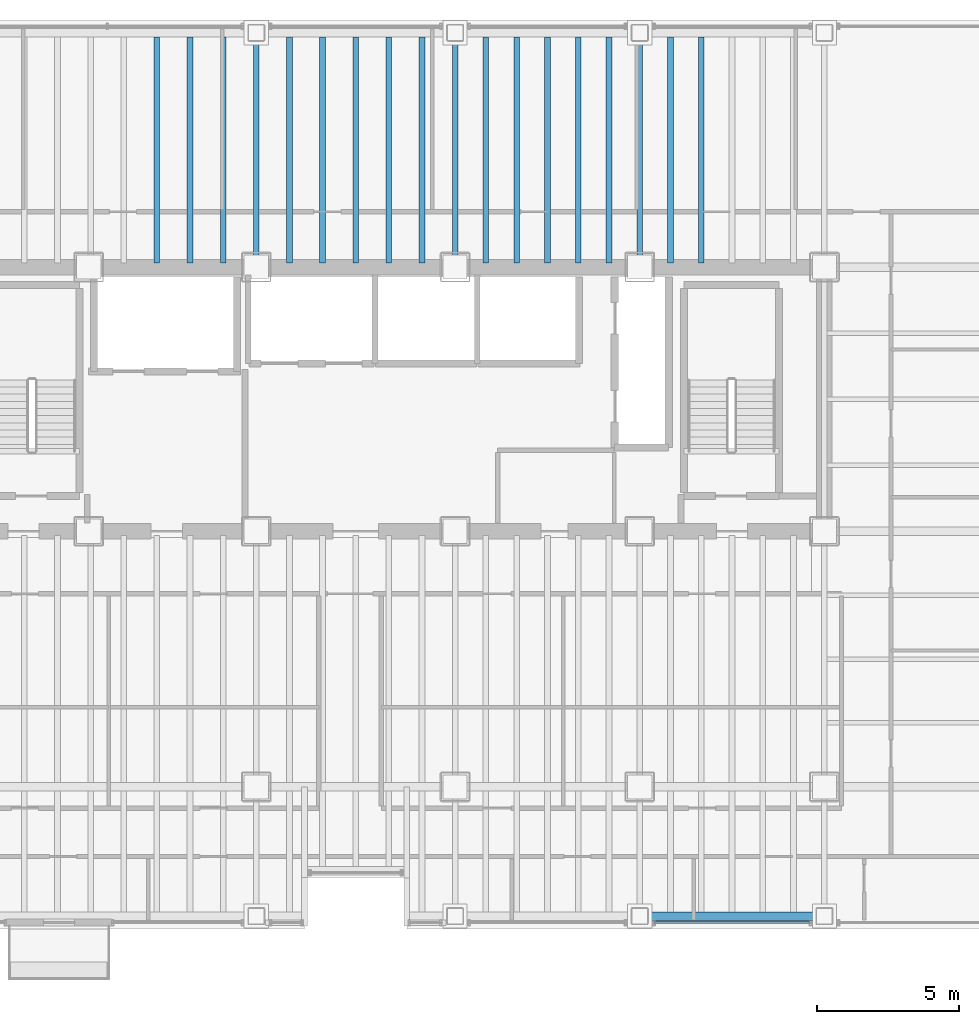
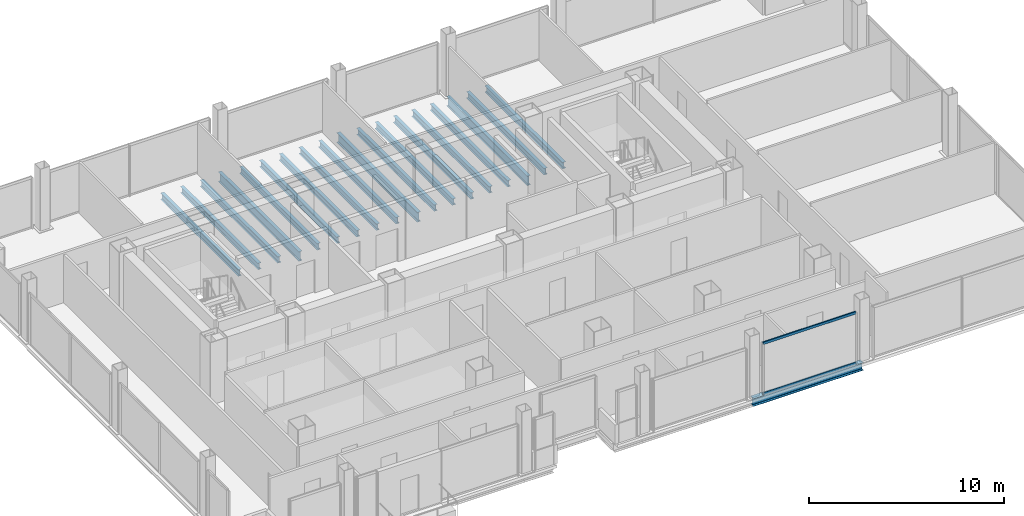
# One storey, part 7 of 20: 19 beams, 2 members, 1 element without a shape of its own.
"""IFC4 building model written with IfcOpenShell, lengths in metres."""

import ifcopenshell
import ifcopenshell.guid

model = None  # the IFC model being written
_history = None  # IfcOwnerHistory: only IFC2X3 demands one
_inside = {}  # id of a spatial element -> (the spatial element, [elements in it])
_under = {}  # id of a project, library or spatial element -> (it, [spatial elements below it])
_declared = {}  # id of a project -> (the project, [libraries it declares])
_typed = {}  # id of a type object -> (the type object, [elements of that type])
_made_of = {}  # id of a material, layer set ... -> (it, [elements and type objects made of it])


def new_model(schema):
    """Start an empty IFC model of exactly this schema.

    Asked for "IFC4X3", IfcOpenShell would pick the latest addendum, in which some entities
    have other attributes; the version numbers below select the first issue.
    IFC2X3 requires an IfcOwnerHistory on every rooted entity: one is made here for all.
    """
    global model, _history
    if schema == "IFC4X3":
        model = ifcopenshell.file(schema_version=(4, 3, 0, 0))
    else:
        model = ifcopenshell.file(schema=schema)
    _inside.clear()
    _under.clear()
    _declared.clear()
    _typed.clear()
    _made_of.clear()
    _history = None
    if model.schema == "IFC2X3":
        org = make("IfcOrganization", Name="unknown")
        user = make(
            "IfcPersonAndOrganization",
            ThePerson=make("IfcPerson", FamilyName="unknown"),
            TheOrganization=org,
        )
        app = make(
            "IfcApplication",
            ApplicationDeveloper=org,
            Version="unknown",
            ApplicationFullName="unknown",
            ApplicationIdentifier="unknown",
        )
        _history = make(
            "IfcOwnerHistory",
            OwningUser=user,
            OwningApplication=app,
            ChangeAction="ADDED",
            CreationDate=0,
        )
    return model


def make(cls, **values):
    """One entity of the class cls with the attributes given. An attribute that is None is left unset."""
    return model.create_entity(
        cls, **{name: value for name, value in values.items() if value is not None}
    )


def rooted(cls, **values):
    """An entity with a GlobalId (a new one), such as an element, a storey or a relation."""
    return make(cls, GlobalId=ifcopenshell.guid.new(), OwnerHistory=_history, **values)


def si_unit(unit_type, name, prefix=None):
    """IfcSIUnit, for example si_unit("LENGTHUNIT", "METRE", prefix="MILLI")."""
    return make("IfcSIUnit", UnitType=unit_type, Prefix=prefix, Name=name)


def assignment(units):
    """IfcUnitAssignment: the units of a project."""
    return None if units is None else make("IfcUnitAssignment", Units=units)


def point(xyz):
    """IfcCartesianPoint."""
    return None if xyz is None else make("IfcCartesianPoint", Coordinates=xyz)


def direction(xyz):
    """IfcDirection."""
    return None if xyz is None else make("IfcDirection", DirectionRatios=xyz)


def frame(location, z_axis=None, x_axis=None):
    """IfcAxis2Placement3D, a coordinate frame: its origin and axes. An axis left out is left unset."""
    return make(
        "IfcAxis2Placement3D",
        Location=point(location),
        Axis=direction(z_axis),
        RefDirection=direction(x_axis),
    )


def frame_2d(location, x_axis=None):
    """IfcAxis2Placement2D, a coordinate frame in the plane: its origin and x axis."""
    return make(
        "IfcAxis2Placement2D", Location=point(location), RefDirection=direction(x_axis)
    )


def origin():
    """The frame at (0, 0, 0) with its axes left unset."""
    return frame((0.0, 0.0, 0.0))


def origin_2d():
    """The frame at (0, 0) in the plane with its x axis left unset."""
    return frame_2d((0.0, 0.0))


def place(relative_to, where):
    """IfcLocalPlacement: puts the frame where relative to a parent placement (None: the world)."""
    return make(
        "IfcLocalPlacement", PlacementRelTo=relative_to, RelativePlacement=where
    )


def context(
    kind, dimensions, precision=None, world=None, true_north=None, identifier=None
):
    """IfcGeometricRepresentationContext, for example the 3D "Model" context."""
    return make(
        "IfcGeometricRepresentationContext",
        ContextIdentifier=identifier,
        ContextType=kind,
        CoordinateSpaceDimension=dimensions,
        Precision=precision,
        WorldCoordinateSystem=world,
        TrueNorth=true_north,
    )


def subcontext(parent, identifier, kind, view, scale=None):
    """IfcGeometricRepresentationSubContext, for example "Body" below "Model"."""
    return make(
        "IfcGeometricRepresentationSubContext",
        ContextIdentifier=identifier,
        ContextType=kind,
        ParentContext=parent,
        TargetScale=scale,
        TargetView=view,
    )


def project(units=None, contexts=None):
    """IfcProject with its units and contexts."""
    return rooted(
        "IfcProject",
        Name="project",
        RepresentationContexts=contexts,
        UnitsInContext=assignment(units),
    )


def spatial(cls, under=None, at=None, **own):
    """A site, building, storey or space (cls), placed at a placement, below another one or the project."""
    s = rooted(cls, ObjectPlacement=at, **own)
    if under is not None:
        _under.setdefault(under.id(), (under, []))[1].append(s)
    return s


def profile(cls, at=None, kind="AREA", **sizes):
    """A parametric profile (cls). Its sizes go by their IFC names, for example OverallWidth=200.0."""
    return make(cls, ProfileType=kind, Position=at, **sizes)


def hollow_rectangle(**sizes):
    """IfcRectangleHollowProfileDef."""
    return profile("IfcRectangleHollowProfileDef", **sizes)


def i_section(**sizes):
    """IfcIShapeProfileDef."""
    return profile("IfcIShapeProfileDef", **sizes)


def extrude(swept, where, along, depth):
    """IfcExtrudedAreaSolid: the profile swept, set in the frame where, extruded along a direction by depth."""
    return make(
        "IfcExtrudedAreaSolid",
        SweptArea=swept,
        Position=where,
        ExtrudedDirection=direction(along),
        Depth=depth,
    )


def shape(context_of_items, identifier, shape_type, items):
    """IfcShapeRepresentation: the items that make up one representation, for example the "Body"."""
    return make(
        "IfcShapeRepresentation",
        ContextOfItems=context_of_items,
        RepresentationIdentifier=identifier,
        RepresentationType=shape_type,
        Items=items,
    )


def material(Name=None, Category=None):
    """IfcMaterial."""
    return make("IfcMaterial", Name=Name, Category=Category)


def material_profile(
    of_material, cross_section, Name=None, Category=None, Priority=None
):
    """IfcMaterialProfile: a cross section and its material."""
    return make(
        "IfcMaterialProfile",
        Name=Name,
        Material=of_material,
        Profile=cross_section,
        Priority=Priority,
        Category=Category,
    )


def profile_set(profiles, Name=None, composite=None):
    """IfcMaterialProfileSet."""
    return make(
        "IfcMaterialProfileSet",
        Name=Name,
        MaterialProfiles=profiles,
        CompositeProfile=composite,
    )


def made_of(thing, what):
    """Note that an element or type object is made of a material, layer set ...; save() writes the relation."""
    if what is not None:
        _made_of.setdefault(what.id(), (what, []))[1].append(thing)
    return thing


def type_object(cls, material=None, **own):
    """A type object (cls), such as IfcWallType, which elements share."""
    return made_of(rooted(cls, **own), material)


def element(
    cls,
    number,
    at=None,
    inside=None,
    cuts=None,
    type_object=None,
    material=None,
    context=None,
    identifier="Body",
    shape_type=None,
    held_by="IfcProductDefinitionShape",
    body=None,
    shapes=None,
    **own,
):
    """One element of the class cls, such as IfcWall. Its Tag is "e" and its number.

    at: its placement. inside: the storey or other place that contains it. cuts: it is an
    opening in that element (IfcRelVoidsElement). A single representation is given by context,
    identifier, shape_type and body (its items); several are given by shapes. held_by: the class
    of the entity that holds the representations. save() writes the other relations.
    """
    e = rooted(cls, Tag="e%d" % number, ObjectPlacement=at, **own)
    if body is not None:
        shapes = [shape(context, identifier, shape_type, body)]
    if shapes is not None:
        e.Representation = make(held_by, Representations=shapes)
    if inside is not None:
        _inside.setdefault(inside.id(), (inside, []))[1].append(e)
    if cuts is not None:
        rooted(
            "IfcRelVoidsElement", RelatingBuildingElement=cuts, RelatedOpeningElement=e
        )
    if type_object is not None:
        _typed.setdefault(type_object.id(), (type_object, []))[1].append(e)
    return made_of(e, material)


def aggregate(whole, parts):
    """IfcRelAggregates: a whole, such as a stair, and the parts it consists of."""
    return rooted("IfcRelAggregates", RelatingObject=whole, RelatedObjects=parts)


def save(model, path):
    """Write the relations noted so far, then the file.

    IfcRelAggregates (storeys below a building ...), IfcRelContainedInSpatialStructure (elements
    in a storey), IfcRelDefinesByType, IfcRelAssociatesMaterial and IfcRelDeclares: one each for
    every whole, place, type object, material and project.
    """
    for whole, parts in _under.values():
        aggregate(whole, parts)
    for where, things in _inside.values():
        rooted(
            "IfcRelContainedInSpatialStructure",
            RelatedElements=things,
            RelatingStructure=where,
        )
    for kind, things in _typed.values():
        rooted("IfcRelDefinesByType", RelatedObjects=things, RelatingType=kind)
    for what, things in _made_of.values():
        rooted("IfcRelAssociatesMaterial", RelatedObjects=things, RelatingMaterial=what)
    for by, libraries in _declared.values():
        rooted("IfcRelDeclares", RelatingContext=by, RelatedDefinitions=libraries)
    model.write(path)


model = new_model("IFC4")

# Units and contexts
model_context = context("Model", 3, precision=1e-05, world=origin(), true_north=direction((0.0, 1.0)))
body_context = subcontext(model_context, "Body", "Model", "MODEL_VIEW")
ifc_project = project(units=[si_unit("LENGTHUNIT", "METRE"), si_unit("AREAUNIT", "SQUARE_METRE"), si_unit("VOLUMEUNIT", "CUBIC_METRE"), si_unit("PLANEANGLEUNIT", "RADIAN"), si_unit("MASSUNIT", "GRAM", prefix="KILO")], contexts=[model_context])

# Site, building, storey
site_placement = place(None, origin())
site = spatial("IfcSite", under=ifc_project, at=site_placement, CompositionType="ELEMENT")
building_placement = place(site_placement, origin())
building = spatial("IfcBuilding", under=site, at=building_placement, Name="Noeulbin Bourse Tower", CompositionType="ELEMENT")
storey_placement = place(building_placement, frame((0.0, 0.0, 73.300048828125)))
storey = spatial("IfcBuildingStorey", under=building, at=storey_placement, Name="L18", CompositionType="ELEMENT", Elevation=73.300048828125)

# Beams
ifc_material_1 = material(Name="Steel S355", Category="steel")
ifc_material_profile_1 = material_profile(ifc_material_1, i_section(OverallWidth=0.199951171875, OverallDepth=0.60009765625, WebThickness=0.010986328125, FlangeThickness=0.01708984375, FilletRadius=0.02197265625, at=origin_2d()), Name="H-600x200x11x17", Category="LoadBearing")
ifc_profile_set_1 = profile_set([ifc_material_profile_1], Name="Steel S355")
beam_type_1 = type_object("IfcBeamType", Name="BM-GRD-600", PredefinedType="USERDEFINED", material=ifc_profile_set_1)
for number, where, z_axis, x_axis, name in (
    (1, (24.0, 38.300048828125, -0.47998046875), (0.0, 1.0, 0.0), (-1.0, 0.0, 0.0), "Tower Primary Girder NS L18-2.4"),
    (2, (31.0, 38.300048828125, -0.47998046875), (0.0, 1.0, 0.0), (-1.0, 0.0, 0.0), "Tower Primary Girder NS L18-3.4"),
    (3, (37.5, 38.300048828125, -0.47998046875), (0.0, 1.0, 0.0), (-1.0, 0.0, 0.0), "Tower Primary Girder NS L18-4.4"),
):
    element("IfcBeam", number, at=place(storey_placement, frame(where, z_axis=z_axis, x_axis=x_axis)), inside=storey, type_object=beam_type_1, Name=name, ObjectType="GIRDER", PredefinedType="USERDEFINED", context=body_context, shape_type="SweptSolid", body=[
        extrude(i_section(OverallWidth=0.199951171875, OverallDepth=0.60009765625, WebThickness=0.010986328125, FlangeThickness=0.01708984375, FilletRadius=0.02197265625, at=origin_2d()), origin(), (0.0, 0.0, 1.0), 8.25),
    ])
ifc_material_profile_2 = material_profile(ifc_material_1, i_section(OverallWidth=0.199951171875, OverallDepth=0.39990234375, WebThickness=0.008056640625, FlangeThickness=0.012939453125, FilletRadius=0.01611328125, at=origin_2d()), Name="H-400x200x8x13", Category="LoadBearing")
ifc_profile_set_2 = profile_set([ifc_material_profile_2], Name="Steel S355")
beam_type_2 = type_object("IfcBeamType", Name="BM-SEC-400", PredefinedType="BEAM", material=ifc_profile_set_2)
for number, where, z_axis, x_axis, name in (
    (4, (20.5, 38.449951171875, -0.380126953125), (0.0, 1.0, 0.0), (-1.0, 0.0, 0.0), "Tower Composite Joist L18-18"),
    (5, (21.666748046875, 38.449951171875, -0.380126953125), (0.0, 1.0, 0.0), (-1.0, 0.0, 0.0), "Tower Composite Joist L18-21"),
    (6, (22.833251953125, 38.449951171875, -0.380126953125), (0.0, 1.0, 0.0), (-1.0, 0.0, 0.0), "Tower Composite Joist L18-24"),
    (7, (25.166748046875, 38.449951171875, -0.380126953125), (0.0, 1.0, 0.0), (-1.0, 0.0, 0.0), "Tower Composite Joist L18-27"),
    (8, (26.333251953125, 38.449951171875, -0.380126953125), (0.0, 1.0, 0.0), (-1.0, 0.0, 0.0), "Tower Composite Joist L18-30"),
    (9, (27.5, 38.449951171875, -0.380126953125), (0.0, 1.0, 0.0), (-1.0, 0.0, 0.0), "Tower Composite Joist L18-33"),
    (10, (28.666748046875, 38.449951171875, -0.380126953125), (0.0, 1.0, 0.0), (-1.0, 0.0, 0.0), "Tower Composite Joist L18-36"),
    (11, (29.833251953125, 38.449951171875, -0.380126953125), (0.0, 1.0, 0.0), (-1.0, 0.0, 0.0), "Tower Composite Joist L18-39"),
    (12, (32.083251953125, 38.449951171875, -0.380126953125), (0.0, 1.0, 0.0), (-1.0, 0.0, 0.0), "Tower Composite Joist L18-42"),
    (13, (33.166748046875, 38.449951171875, -0.380126953125), (0.0, 1.0, 0.0), (-1.0, 0.0, 0.0), "Tower Composite Joist L18-45"),
    (14, (34.25, 38.449951171875, -0.380126953125), (0.0, 1.0, 0.0), (-1.0, 0.0, 0.0), "Tower Composite Joist L18-48"),
    (15, (35.333251953125, 38.449951171875, -0.380126953125), (0.0, 1.0, 0.0), (-1.0, 0.0, 0.0), "Tower Composite Joist L18-51"),
    (16, (36.416748046875, 38.449951171875, -0.380126953125), (0.0, 1.0, 0.0), (-1.0, 0.0, 0.0), "Tower Composite Joist L18-54"),
    (17, (38.583251953125, 38.449951171875, -0.380126953125), (0.0, 1.0, 0.0), (-1.0, 0.0, 0.0), "Tower Composite Joist L18-57"),
    (18, (39.666748046875, 38.449951171875, -0.380126953125), (0.0, 1.0, 0.0), (-1.0, 0.0, 0.0), "Tower Composite Joist L18-60"),
):
    element("IfcBeam", number, at=place(storey_placement, frame(where, z_axis=z_axis, x_axis=x_axis)), inside=storey, type_object=beam_type_2, Name=name, PredefinedType="BEAM", context=body_context, shape_type="SweptSolid", body=[
        extrude(i_section(OverallWidth=0.199951171875, OverallDepth=0.39990234375, WebThickness=0.008056640625, FlangeThickness=0.012939453125, FilletRadius=0.01611328125, at=origin_2d()), origin(), (0.0, 0.0, 1.0), 7.949951171875),
    ])
ifc_material_profile_3 = material_profile(ifc_material_1, i_section(OverallWidth=0.300048828125, OverallDepth=0.488037109375, WebThickness=0.010986328125, FlangeThickness=0.01806640625, FilletRadius=0.02197265625, at=origin_2d()), Name="H-488x300x11x18", Category="LoadBearing")
ifc_profile_set_3 = profile_set([ifc_material_profile_3], Name="Steel S355")
beam_type_3 = type_object("IfcBeamType", Name="BM-SPN-488", PredefinedType="SPANDREL", material=ifc_profile_set_3)
beam_placement = place(storey_placement, frame((37.5, 15.449951171875, -0.424072265625), z_axis=(1.0, 0.0, 0.0), x_axis=(0.0, 1.0, 0.0)))
element("IfcBeam", 19, at=beam_placement, inside=storey, type_object=beam_type_3, Name="South Spandrel L18-4", PredefinedType="SPANDREL", context=body_context, shape_type="SweptSolid", body=[
    extrude(i_section(OverallWidth=0.300048828125, OverallDepth=0.488037109375, WebThickness=0.010986328125, FlangeThickness=0.01806640625, FilletRadius=0.02197265625, at=origin_2d()), origin(), (0.0, 0.0, 1.0), 6.5),
])

# Curtain wall, members
ifc_material_2 = material(Name="Dark Solar-Control Double Glazing", Category="glass")
curtain_wall_type = type_object("IfcCurtainWallType", Name="CW-SYS-2", PredefinedType="NOTDEFINED", material=ifc_material_2)
curtain_wall_placement = place(storey_placement, origin())
curtain_wall = element("IfcCurtainWall", 20, at=curtain_wall_placement, inside=storey, type_object=curtain_wall_type, Name="Unitised Curtain Wall CW-L18-S3-S3", PredefinedType="NOTDEFINED")
ifc_material_3 = material(Name="Anodised Aluminium 6063-T6", Category="aluminium")
ifc_material_profile_4 = material_profile(ifc_material_3, hollow_rectangle(XDim=0.074951171875, YDim=0.159912109375, WallThickness=0.0048828125, InnerFilletRadius=0.00244140625, OuterFilletRadius=0.0048828125, at=origin_2d()), Name="ALU-TRAN-75x160x5", Category="LoadBearing")
ifc_profile_set_4 = profile_set([ifc_material_profile_4], Name="Anodised Aluminium 6063-T6")
member_type = type_object("IfcMemberType", Name="CW-SYS-2-TRN", PredefinedType="USERDEFINED", material=ifc_profile_set_4)
member_1_placement = place(storey_placement, frame((38.010009765625, 15.219970703125, 0.010009765625), z_axis=(1.0, 0.0, 0.0), x_axis=(0.0, 1.0, 0.0)))
member_1 = element("IfcMember", 21, at=member_1_placement, type_object=member_type, Name="Curtain Wall Transom CW-L18-S3-S3-T00", ObjectType="TRANSOM", PredefinedType="USERDEFINED", context=body_context, shape_type="SweptSolid", body=[
    extrude(hollow_rectangle(XDim=0.074951171875, YDim=0.159912109375, WallThickness=0.0048828125, InnerFilletRadius=0.00244140625, OuterFilletRadius=0.0048828125, at=origin_2d()), origin(), (0.0, 0.0, 1.0), 5.47998046875),
])
member_2_placement = place(storey_placement, frame((38.010009765625, 15.219970703125, 3.169921875), z_axis=(1.0, 0.0, 0.0), x_axis=(0.0, 1.0, 0.0)))
member_2 = element("IfcMember", 22, at=member_2_placement, type_object=member_type, Name="Curtain Wall Transom CW-L18-S3-S3-T01", ObjectType="TRANSOM", PredefinedType="USERDEFINED", context=body_context, shape_type="SweptSolid", body=[
    extrude(hollow_rectangle(XDim=0.074951171875, YDim=0.159912109375, WallThickness=0.0048828125, InnerFilletRadius=0.00244140625, OuterFilletRadius=0.0048828125, at=origin_2d()), origin(), (0.0, 0.0, 1.0), 5.47998046875),
])
aggregate(curtain_wall, [member_1, member_2])

save(model, "model.ifc")
